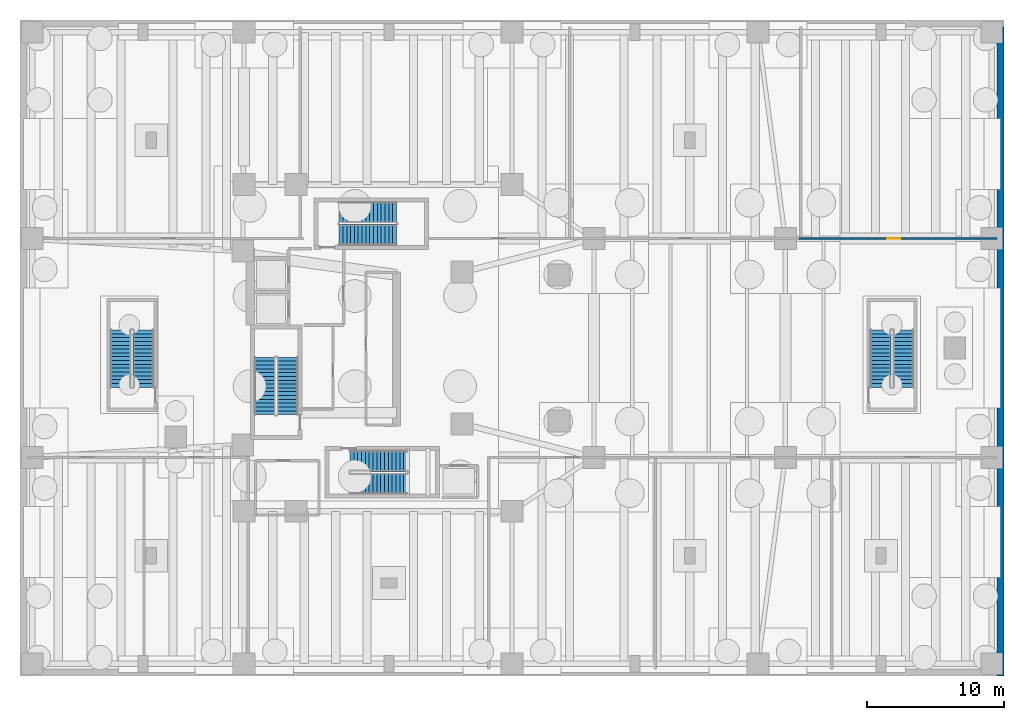
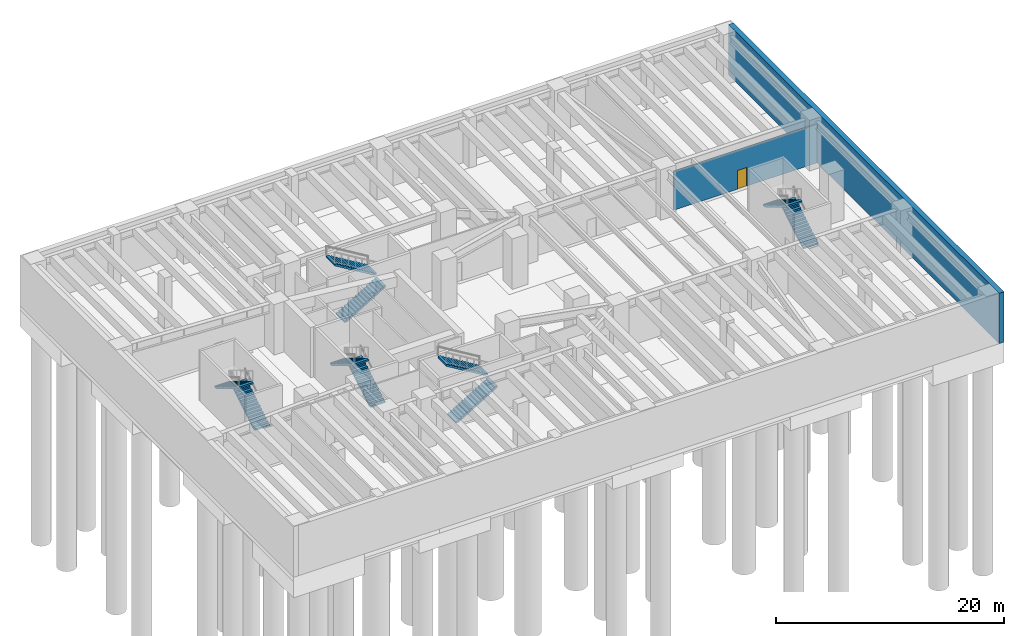
# One storey, part 7 of 10: 10 stair flights, 2 walls, 1 door, 1 opening, 5 elements without a shape of their own.
"""IFC4 building model written with IfcOpenShell, lengths in metres."""

from ifc_helpers import new_model, si_unit, direction, frame, frame_2d, origin, place, context, subcontext, project, spatial, polyline, rectangle, outline, extrude, material, layer, layer_set, type_object, element, fill, aggregate, save


model = new_model("IFC4")

# Units and contexts
model_context = context("Model", 3, precision=1e-05, world=origin(), true_north=direction((0.0, 1.0)))
body_context = subcontext(model_context, "Body", "Model", "MODEL_VIEW")
ifc_project = project(units=[si_unit("LENGTHUNIT", "METRE"), si_unit("AREAUNIT", "SQUARE_METRE"), si_unit("VOLUMEUNIT", "CUBIC_METRE"), si_unit("PLANEANGLEUNIT", "RADIAN"), si_unit("MASSUNIT", "GRAM", prefix="KILO"), si_unit("THERMODYNAMICTEMPERATUREUNIT", "KELVIN"), si_unit("POWERUNIT", "WATT")], contexts=[model_context])

# Site, building, storey
site_placement = place(None, origin())
site = spatial("IfcSite", under=ifc_project, at=site_placement, CompositionType="ELEMENT")
building_placement = place(site_placement, origin())
building = spatial("IfcBuilding", under=site, at=building_placement, Name="Skarre Station Tower", CompositionType="ELEMENT")
storey_placement = place(building_placement, frame((0.0, 0.0, -10.199951171875)))
storey = spatial("IfcBuildingStorey", under=building, at=storey_placement, Name="B02", CompositionType="ELEMENT", Elevation=-10.199951171875)

# Wall
ifc_material_1 = material(Name="Concrete C50/60", Category="concrete")
ifc_layer_1 = layer(ifc_material_1, 0.5, Name="Concrete C50/60")
ifc_layer_set_1 = layer_set([ifc_layer_1], Name="Concrete C50/60")
wall_type_1 = type_object("IfcWallType", Name="Basement Perimeter Retaining Wall 500", PredefinedType="USERDEFINED", material=ifc_layer_set_1)
wall_1_placement = place(storey_placement, frame((71.75, 47.5, 0.0), z_axis=(0.0, 0.0, 1.0), x_axis=(0.0, -1.0, 0.0)))
element("IfcWall", 1, at=wall_1_placement, inside=storey, type_object=wall_type_1, Name="B02 Perimeter Retaining Wall E", ObjectType="RETAININGWALL", PredefinedType="USERDEFINED", context=body_context, shape_type="SweptSolid", body=[
    extrude(rectangle(XDim=47.5, YDim=0.5, at=frame_2d((23.75, 0.0))), origin(), (0.0, 0.0, 1.0), 5.39990234375),
])

# Wall, opening, door
ifc_material_2 = material(Name="Acoustic Steel-Stud Gypsum Partition", Category="steel")
ifc_layer_2 = layer(ifc_material_2, 0.14990234375, Name="Acoustic Steel-Stud Gypsum Partition")
ifc_layer_set_2 = layer_set([ifc_layer_2], Name="Acoustic Steel-Stud Gypsum Partition")
wall_type_2 = type_object("IfcWallType", Name="Fire-Rated Corridor Acoustic Partition 150", PredefinedType="PARTITIONING", material=ifc_layer_set_2)
wall_2_placement = place(storey_placement, frame((71.5048828125, 32.02001953125, 0.0), z_axis=(0.0, 0.0, 1.0), x_axis=(-1.0, 0.0, 0.0)))
wall_2 = element("IfcWall", 2, at=wall_2_placement, inside=storey, type_object=wall_type_2, Name="B02 Interior Partition WL-PT-B02-PDN4-CW", PredefinedType="PARTITIONING", context=body_context, shape_type="SweptSolid", body=[
    extrude(rectangle(XDim=14.5048828125, YDim=0.14990234375, at=frame_2d((7.25244140625, 0.0))), origin(), (0.0, 0.0, 1.0), 4.141845703125),
])
opening_placement = place(wall_2_placement, frame((7.10205078125, 0.0, 0.0)))
opening = element("IfcOpeningElement", 3, at=opening_placement, cuts=wall_2, Name="Opening DR-FD60", PredefinedType="OPENING", context=body_context, shape_type="SweptSolid", body=[
    extrude(rectangle(XDim=0.9599609375, YDim=2.0, at=frame_2d((0.47998046875, 1.0))), frame((0.0, 0.0849609375, 0.0), z_axis=(0.0, -1.0, 0.0), x_axis=(1.0, 0.0, 0.0)), (0.0, 0.0, 1.0), 0.169921875),
])
ifc_material_3 = material(Name="Nordic White-Oak Veneer Solid-Core Fire Leaf", Category="wood")
door_type = type_object("IfcDoorType", Name="Corridor Suite Entry Fire Door FD60 960x2150", OperationType="SINGLE_SWING_LEFT", PredefinedType="DOOR", material=ifc_material_3)
door_placement = place(opening_placement, origin())
door = element("IfcDoor", 4, at=door_placement, inside=storey, type_object=door_type, Name="B02 PDN4 Entry Door", OperationType="SINGLE_SWING_LEFT", OverallHeight=2.0, OverallWidth=0.9599609375, PredefinedType="DOOR", context=body_context, shape_type="SweptSolid", body=[
    extrude(rectangle(XDim=0.9599609375, YDim=2.0, at=frame_2d((0.47998046875, 1.0))), frame((0.0, 0.02490234375, 0.0), z_axis=(0.0, -1.0, 0.0), x_axis=(1.0, 0.0, 0.0)), (0.0, 0.0, 1.0), 0.050048828125),
])
fill(opening, door)

# Stair, stair flights
ifc_material_4 = material(Name="Concrete C40/50", Category="concrete")
stair_type_1 = type_object("IfcStairType", Name="Reinforced Concrete Exit Stair ST-1", PredefinedType="HALF_TURN_STAIR", material=ifc_material_4)
stair_1_placement = place(storey_placement, origin())
stair_1 = element("IfcStair", 5, at=stair_1_placement, inside=storey, type_object=stair_type_1, Name="B02 Core Exit Stair ST-1", PredefinedType="HALF_TURN_STAIR")
stair_flight_type_1 = type_object("IfcStairFlightType", Name="Reinforced Concrete Stair Flight ST-1", PredefinedType="STRAIGHT", material=ifc_material_4)
stair_flight_1_placement = place(storey_placement, frame((19.590087890625, 19.1201171875, 0.0), z_axis=(0.0, 0.0, 1.0), x_axis=(0.0, 1.0, 0.0)))
stair_flight_1 = element("IfcStairFlight", 6, at=stair_flight_1_placement, type_object=stair_flight_type_1, Name="ST-1 flight 1", NumberOfRisers=16, NumberOfTreads=15, PredefinedType="STRAIGHT", RiserHeight=0.16875, TreadLength=0.28, context=body_context, shape_type="SweptSolid", body=[
    extrude(outline(polyline([(0.0, 0.0), (0.0, 0.168701171875), (0.280029296875, 0.168701171875), (0.280029296875, 0.33740234375), (0.56005859375, 0.33740234375), (0.56005859375, 0.50634765625), (0.840087890625, 0.50634765625), (0.840087890625, 0.675048828125), (1.1201171875, 0.675048828125), (1.1201171875, 0.84375), (1.39990234375, 0.84375), (1.39990234375, 1.012451171875), (1.679931640625, 1.012451171875), (1.679931640625, 1.18115234375), (1.9599609375, 1.18115234375), (1.9599609375, 1.35009765625), (2.239990234375, 1.35009765625), (2.239990234375, 1.518798828125), (2.52001953125, 1.518798828125), (2.52001953125, 1.6875), (2.800048828125, 1.6875), (2.800048828125, 1.856201171875), (3.080078125, 1.856201171875), (3.080078125, 2.02490234375), (3.360107421875, 2.02490234375), (3.360107421875, 2.19384765625), (3.639892578125, 2.19384765625), (3.639892578125, 2.362548828125), (3.919921875, 2.362548828125), (3.919921875, 2.53125), (4.199951171875, 2.53125), (4.199951171875, 2.699951171875), (4.199951171875, 2.356201171875), (0.29052734375, 0.0), (0.0, 0.0)])), frame((0.0, 0.760009765625, 0.0), z_axis=(0.0, -1.0, 0.0), x_axis=(1.0, 0.0, 0.0)), (0.0, 0.0, 1.0), 1.52001953125),
])
stair_flight_2_placement = place(storey_placement, frame((17.909912109375, 23.320068359375, 2.699951171875), z_axis=(0.0, 0.0, 1.0), x_axis=(0.0, -1.0, 0.0)))
stair_flight_2 = element("IfcStairFlight", 7, at=stair_flight_2_placement, type_object=stair_flight_type_1, Name="ST-1 flight 2", NumberOfRisers=16, NumberOfTreads=15, PredefinedType="STRAIGHT", RiserHeight=0.16875, TreadLength=0.28, context=body_context, shape_type="SweptSolid", body=[
    extrude(outline(polyline([(0.0, 0.0), (0.0, 0.168701171875), (0.280029296875, 0.168701171875), (0.280029296875, 0.33740234375), (0.56005859375, 0.33740234375), (0.56005859375, 0.50634765625), (0.840087890625, 0.50634765625), (0.840087890625, 0.675048828125), (1.1201171875, 0.675048828125), (1.1201171875, 0.84375), (1.39990234375, 0.84375), (1.39990234375, 1.012451171875), (1.679931640625, 1.012451171875), (1.679931640625, 1.18115234375), (1.9599609375, 1.18115234375), (1.9599609375, 1.35009765625), (2.239990234375, 1.35009765625), (2.239990234375, 1.518798828125), (2.52001953125, 1.518798828125), (2.52001953125, 1.6875), (2.800048828125, 1.6875), (2.800048828125, 1.856201171875), (3.080078125, 1.856201171875), (3.080078125, 2.02490234375), (3.360107421875, 2.02490234375), (3.360107421875, 2.19384765625), (3.639892578125, 2.19384765625), (3.639892578125, 2.362548828125), (3.919921875, 2.362548828125), (3.919921875, 2.53125), (4.199951171875, 2.53125), (4.199951171875, 2.699951171875), (4.199951171875, 2.356201171875), (0.29052734375, 0.0), (0.0, 0.0)])), frame((0.0, 0.760009765625, 0.0), z_axis=(0.0, -1.0, 0.0), x_axis=(1.0, 0.0, 0.0)), (0.0, 0.0, 1.0), 1.52001953125),
])
aggregate(stair_1, [stair_flight_1, stair_flight_2])

stair_type_2 = type_object("IfcStairType", Name="Reinforced Concrete Exit Stair ST-2", PredefinedType="HALF_TURN_STAIR", material=ifc_material_4)
stair_2_placement = place(storey_placement, origin())
stair_2 = element("IfcStair", 8, at=stair_2_placement, inside=storey, type_object=stair_type_2, Name="B02 Core Exit Stair ST-2", PredefinedType="HALF_TURN_STAIR")
stair_flight_type_2 = type_object("IfcStairFlightType", Name="Reinforced Concrete Stair Flight ST-2", PredefinedType="STRAIGHT", material=ifc_material_4)
stair_flight_3_placement = place(storey_placement, frame((24.14990234375, 14.06005859375, 0.0), z_axis=(0.0, 0.0, 1.0), x_axis=(1.0, 0.0, 0.0)))
stair_flight_3 = element("IfcStairFlight", 9, at=stair_flight_3_placement, type_object=stair_flight_type_2, Name="ST-2 flight 1", NumberOfRisers=16, NumberOfTreads=15, PredefinedType="STRAIGHT", RiserHeight=0.16875, TreadLength=0.28, context=body_context, shape_type="SweptSolid", body=[
    extrude(outline(polyline([(0.0, 0.0), (0.0, 0.168701171875), (0.280029296875, 0.168701171875), (0.280029296875, 0.33740234375), (0.56005859375, 0.33740234375), (0.56005859375, 0.50634765625), (0.840087890625, 0.50634765625), (0.840087890625, 0.675048828125), (1.1201171875, 0.675048828125), (1.1201171875, 0.84375), (1.39990234375, 0.84375), (1.39990234375, 1.012451171875), (1.679931640625, 1.012451171875), (1.679931640625, 1.18115234375), (1.9599609375, 1.18115234375), (1.9599609375, 1.35009765625), (2.239990234375, 1.35009765625), (2.239990234375, 1.518798828125), (2.52001953125, 1.518798828125), (2.52001953125, 1.6875), (2.800048828125, 1.6875), (2.800048828125, 1.856201171875), (3.080078125, 1.856201171875), (3.080078125, 2.02490234375), (3.360107421875, 2.02490234375), (3.360107421875, 2.19384765625), (3.639892578125, 2.19384765625), (3.639892578125, 2.362548828125), (3.919921875, 2.362548828125), (3.919921875, 2.53125), (4.199951171875, 2.53125), (4.199951171875, 2.699951171875), (4.199951171875, 2.356201171875), (0.29052734375, 0.0), (0.0, 0.0)])), frame((0.0, 0.760009765625, 0.0), z_axis=(0.0, -1.0, 0.0), x_axis=(1.0, 0.0, 0.0)), (0.0, 0.0, 1.0), 1.52001953125),
])
stair_flight_4_placement = place(storey_placement, frame((28.35009765625, 15.739990234375, 2.699951171875), z_axis=(0.0, 0.0, 1.0), x_axis=(-1.0, 0.0, 0.0)))
stair_flight_4 = element("IfcStairFlight", 10, at=stair_flight_4_placement, type_object=stair_flight_type_2, Name="ST-2 flight 2", NumberOfRisers=16, NumberOfTreads=15, PredefinedType="STRAIGHT", RiserHeight=0.16875, TreadLength=0.28, context=body_context, shape_type="SweptSolid", body=[
    extrude(outline(polyline([(0.0, 0.0), (0.0, 0.168701171875), (0.280029296875, 0.168701171875), (0.280029296875, 0.33740234375), (0.56005859375, 0.33740234375), (0.56005859375, 0.50634765625), (0.840087890625, 0.50634765625), (0.840087890625, 0.675048828125), (1.1201171875, 0.675048828125), (1.1201171875, 0.84375), (1.39990234375, 0.84375), (1.39990234375, 1.012451171875), (1.679931640625, 1.012451171875), (1.679931640625, 1.18115234375), (1.9599609375, 1.18115234375), (1.9599609375, 1.35009765625), (2.239990234375, 1.35009765625), (2.239990234375, 1.518798828125), (2.52001953125, 1.518798828125), (2.52001953125, 1.6875), (2.800048828125, 1.6875), (2.800048828125, 1.856201171875), (3.080078125, 1.856201171875), (3.080078125, 2.02490234375), (3.360107421875, 2.02490234375), (3.360107421875, 2.19384765625), (3.639892578125, 2.19384765625), (3.639892578125, 2.362548828125), (3.919921875, 2.362548828125), (3.919921875, 2.53125), (4.199951171875, 2.53125), (4.199951171875, 2.699951171875), (4.199951171875, 2.356201171875), (0.29052734375, 0.0), (0.0, 0.0)])), frame((0.0, 0.760009765625, 0.0), z_axis=(0.0, -1.0, 0.0), x_axis=(1.0, 0.0, 0.0)), (0.0, 0.0, 1.0), 1.52001953125),
])
aggregate(stair_2, [stair_flight_3, stair_flight_4])

stair_type_3 = type_object("IfcStairType", Name="Reinforced Concrete Exit Stair ST-3", PredefinedType="HALF_TURN_STAIR", material=ifc_material_4)
stair_3_placement = place(storey_placement, origin())
stair_3 = element("IfcStair", 11, at=stair_3_placement, inside=storey, type_object=stair_type_3, Name="B02 Core Exit Stair ST-3", PredefinedType="HALF_TURN_STAIR")
stair_flight_type_3 = type_object("IfcStairFlightType", Name="Reinforced Concrete Stair Flight ST-3", PredefinedType="STRAIGHT", material=ifc_material_4)
stair_flight_5_placement = place(storey_placement, frame((23.35009765625, 32.260009765625, 0.0), z_axis=(0.0, 0.0, 1.0), x_axis=(1.0, 0.0, 0.0)))
stair_flight_5 = element("IfcStairFlight", 12, at=stair_flight_5_placement, type_object=stair_flight_type_3, Name="ST-3 flight 1", NumberOfRisers=16, NumberOfTreads=15, PredefinedType="STRAIGHT", RiserHeight=0.16875, TreadLength=0.28, context=body_context, shape_type="SweptSolid", body=[
    extrude(outline(polyline([(0.0, 0.0), (0.0, 0.168701171875), (0.280029296875, 0.168701171875), (0.280029296875, 0.33740234375), (0.56005859375, 0.33740234375), (0.56005859375, 0.50634765625), (0.840087890625, 0.50634765625), (0.840087890625, 0.675048828125), (1.1201171875, 0.675048828125), (1.1201171875, 0.84375), (1.39990234375, 0.84375), (1.39990234375, 1.012451171875), (1.679931640625, 1.012451171875), (1.679931640625, 1.18115234375), (1.9599609375, 1.18115234375), (1.9599609375, 1.35009765625), (2.239990234375, 1.35009765625), (2.239990234375, 1.518798828125), (2.52001953125, 1.518798828125), (2.52001953125, 1.6875), (2.800048828125, 1.6875), (2.800048828125, 1.856201171875), (3.080078125, 1.856201171875), (3.080078125, 2.02490234375), (3.360107421875, 2.02490234375), (3.360107421875, 2.19384765625), (3.639892578125, 2.19384765625), (3.639892578125, 2.362548828125), (3.919921875, 2.362548828125), (3.919921875, 2.53125), (4.199951171875, 2.53125), (4.199951171875, 2.699951171875), (4.199951171875, 2.356201171875), (0.29052734375, 0.0), (0.0, 0.0)])), frame((0.0, 0.760009765625, 0.0), z_axis=(0.0, -1.0, 0.0), x_axis=(1.0, 0.0, 0.0)), (0.0, 0.0, 1.0), 1.52001953125),
])
stair_flight_6_placement = place(storey_placement, frame((27.550048828125, 33.93994140625, 2.699951171875), z_axis=(0.0, 0.0, 1.0), x_axis=(-1.0, 0.0, 0.0)))
stair_flight_6 = element("IfcStairFlight", 13, at=stair_flight_6_placement, type_object=stair_flight_type_3, Name="ST-3 flight 2", NumberOfRisers=16, NumberOfTreads=15, PredefinedType="STRAIGHT", RiserHeight=0.16875, TreadLength=0.28, context=body_context, shape_type="SweptSolid", body=[
    extrude(outline(polyline([(0.0, 0.0), (0.0, 0.168701171875), (0.280029296875, 0.168701171875), (0.280029296875, 0.33740234375), (0.56005859375, 0.33740234375), (0.56005859375, 0.50634765625), (0.840087890625, 0.50634765625), (0.840087890625, 0.675048828125), (1.1201171875, 0.675048828125), (1.1201171875, 0.84375), (1.39990234375, 0.84375), (1.39990234375, 1.012451171875), (1.679931640625, 1.012451171875), (1.679931640625, 1.18115234375), (1.9599609375, 1.18115234375), (1.9599609375, 1.35009765625), (2.239990234375, 1.35009765625), (2.239990234375, 1.518798828125), (2.52001953125, 1.518798828125), (2.52001953125, 1.6875), (2.800048828125, 1.6875), (2.800048828125, 1.856201171875), (3.080078125, 1.856201171875), (3.080078125, 2.02490234375), (3.360107421875, 2.02490234375), (3.360107421875, 2.19384765625), (3.639892578125, 2.19384765625), (3.639892578125, 2.362548828125), (3.919921875, 2.362548828125), (3.919921875, 2.53125), (4.199951171875, 2.53125), (4.199951171875, 2.699951171875), (4.199951171875, 2.356201171875), (0.29052734375, 0.0), (0.0, 0.0)])), frame((0.0, 0.760009765625, 0.0), z_axis=(0.0, -1.0, 0.0), x_axis=(1.0, 0.0, 0.0)), (0.0, 0.0, 1.0), 1.52001953125),
])
aggregate(stair_3, [stair_flight_5, stair_flight_6])

stair_type_4 = type_object("IfcStairType", Name="Reinforced Concrete Exit Stair ST-4", PredefinedType="HALF_TURN_STAIR", material=ifc_material_4)
stair_4_placement = place(storey_placement, origin())
stair_4 = element("IfcStair", 14, at=stair_4_placement, inside=storey, type_object=stair_type_4, Name="B02 Podium Concourse Exit Stair ST-4", PredefinedType="HALF_TURN_STAIR")
stair_flight_type_4 = type_object("IfcStairFlightType", Name="Reinforced Concrete Stair Flight ST-4", PredefinedType="STRAIGHT", material=ifc_material_4)
stair_flight_7_placement = place(storey_placement, frame((9.0400390625, 21.1201171875, 0.0), z_axis=(0.0, 0.0, 1.0), x_axis=(0.0, 1.0, 0.0)))
stair_flight_7 = element("IfcStairFlight", 15, at=stair_flight_7_placement, type_object=stair_flight_type_4, Name="ST-4 flight 1", NumberOfRisers=16, NumberOfTreads=15, PredefinedType="STRAIGHT", RiserHeight=0.16875, TreadLength=0.28, context=body_context, shape_type="SweptSolid", body=[
    extrude(outline(polyline([(0.0, 0.0), (0.0, 0.168701171875), (0.280029296875, 0.168701171875), (0.280029296875, 0.33740234375), (0.56005859375, 0.33740234375), (0.56005859375, 0.50634765625), (0.840087890625, 0.50634765625), (0.840087890625, 0.675048828125), (1.1201171875, 0.675048828125), (1.1201171875, 0.84375), (1.39990234375, 0.84375), (1.39990234375, 1.012451171875), (1.679931640625, 1.012451171875), (1.679931640625, 1.18115234375), (1.9599609375, 1.18115234375), (1.9599609375, 1.35009765625), (2.239990234375, 1.35009765625), (2.239990234375, 1.518798828125), (2.52001953125, 1.518798828125), (2.52001953125, 1.6875), (2.800048828125, 1.6875), (2.800048828125, 1.856201171875), (3.080078125, 1.856201171875), (3.080078125, 2.02490234375), (3.360107421875, 2.02490234375), (3.360107421875, 2.19384765625), (3.639892578125, 2.19384765625), (3.639892578125, 2.362548828125), (3.919921875, 2.362548828125), (3.919921875, 2.53125), (4.199951171875, 2.53125), (4.199951171875, 2.699951171875), (4.199951171875, 2.356201171875), (0.29052734375, 0.0), (0.0, 0.0)])), frame((0.0, 0.760009765625, 0.0), z_axis=(0.0, -1.0, 0.0), x_axis=(1.0, 0.0, 0.0)), (0.0, 0.0, 1.0), 1.52001953125),
])
stair_flight_8_placement = place(storey_placement, frame((7.360107421875, 25.320068359375, 2.699951171875), z_axis=(0.0, 0.0, 1.0), x_axis=(0.0, -1.0, 0.0)))
stair_flight_8 = element("IfcStairFlight", 16, at=stair_flight_8_placement, type_object=stair_flight_type_4, Name="ST-4 flight 2", NumberOfRisers=16, NumberOfTreads=15, PredefinedType="STRAIGHT", RiserHeight=0.16875, TreadLength=0.28, context=body_context, shape_type="SweptSolid", body=[
    extrude(outline(polyline([(0.0, 0.0), (0.0, 0.168701171875), (0.280029296875, 0.168701171875), (0.280029296875, 0.33740234375), (0.56005859375, 0.33740234375), (0.56005859375, 0.50634765625), (0.840087890625, 0.50634765625), (0.840087890625, 0.675048828125), (1.1201171875, 0.675048828125), (1.1201171875, 0.84375), (1.39990234375, 0.84375), (1.39990234375, 1.012451171875), (1.679931640625, 1.012451171875), (1.679931640625, 1.18115234375), (1.9599609375, 1.18115234375), (1.9599609375, 1.35009765625), (2.239990234375, 1.35009765625), (2.239990234375, 1.518798828125), (2.52001953125, 1.518798828125), (2.52001953125, 1.6875), (2.800048828125, 1.6875), (2.800048828125, 1.856201171875), (3.080078125, 1.856201171875), (3.080078125, 2.02490234375), (3.360107421875, 2.02490234375), (3.360107421875, 2.19384765625), (3.639892578125, 2.19384765625), (3.639892578125, 2.362548828125), (3.919921875, 2.362548828125), (3.919921875, 2.53125), (4.199951171875, 2.53125), (4.199951171875, 2.699951171875), (4.199951171875, 2.356201171875), (0.29052734375, 0.0), (0.0, 0.0)])), frame((0.0, 0.760009765625, 0.0), z_axis=(0.0, -1.0, 0.0), x_axis=(1.0, 0.0, 0.0)), (0.0, 0.0, 1.0), 1.52001953125),
])
aggregate(stair_4, [stair_flight_7, stair_flight_8])

stair_type_5 = type_object("IfcStairType", Name="Reinforced Concrete Exit Stair ST-5", PredefinedType="HALF_TURN_STAIR", material=ifc_material_4)
stair_5_placement = place(storey_placement, origin())
stair_5 = element("IfcStair", 17, at=stair_5_placement, inside=storey, type_object=stair_type_5, Name="B02 Podium Concourse Exit Stair ST-5", PredefinedType="HALF_TURN_STAIR")
stair_flight_type_5 = type_object("IfcStairFlightType", Name="Reinforced Concrete Stair Flight ST-5", PredefinedType="STRAIGHT", material=ifc_material_4)
stair_flight_9_placement = place(storey_placement, frame((64.639892578125, 21.1201171875, 0.0), z_axis=(0.0, 0.0, 1.0), x_axis=(0.0, 1.0, 0.0)))
stair_flight_9 = element("IfcStairFlight", 18, at=stair_flight_9_placement, type_object=stair_flight_type_5, Name="ST-5 flight 1", NumberOfRisers=16, NumberOfTreads=15, PredefinedType="STRAIGHT", RiserHeight=0.16875, TreadLength=0.28, context=body_context, shape_type="SweptSolid", body=[
    extrude(outline(polyline([(0.0, 0.0), (0.0, 0.168701171875), (0.280029296875, 0.168701171875), (0.280029296875, 0.33740234375), (0.56005859375, 0.33740234375), (0.56005859375, 0.50634765625), (0.840087890625, 0.50634765625), (0.840087890625, 0.675048828125), (1.1201171875, 0.675048828125), (1.1201171875, 0.84375), (1.39990234375, 0.84375), (1.39990234375, 1.012451171875), (1.679931640625, 1.012451171875), (1.679931640625, 1.18115234375), (1.9599609375, 1.18115234375), (1.9599609375, 1.35009765625), (2.239990234375, 1.35009765625), (2.239990234375, 1.518798828125), (2.52001953125, 1.518798828125), (2.52001953125, 1.6875), (2.800048828125, 1.6875), (2.800048828125, 1.856201171875), (3.080078125, 1.856201171875), (3.080078125, 2.02490234375), (3.360107421875, 2.02490234375), (3.360107421875, 2.19384765625), (3.639892578125, 2.19384765625), (3.639892578125, 2.362548828125), (3.919921875, 2.362548828125), (3.919921875, 2.53125), (4.199951171875, 2.53125), (4.199951171875, 2.699951171875), (4.199951171875, 2.356201171875), (0.29052734375, 0.0), (0.0, 0.0)])), frame((0.0, 0.760009765625, 0.0), z_axis=(0.0, -1.0, 0.0), x_axis=(1.0, 0.0, 0.0)), (0.0, 0.0, 1.0), 1.52001953125),
])
stair_flight_10_placement = place(storey_placement, frame((62.9599609375, 25.320068359375, 2.699951171875), z_axis=(0.0, 0.0, 1.0), x_axis=(0.0, -1.0, 0.0)))
stair_flight_10 = element("IfcStairFlight", 19, at=stair_flight_10_placement, type_object=stair_flight_type_5, Name="ST-5 flight 2", NumberOfRisers=16, NumberOfTreads=15, PredefinedType="STRAIGHT", RiserHeight=0.16875, TreadLength=0.28, context=body_context, shape_type="SweptSolid", body=[
    extrude(outline(polyline([(0.0, 0.0), (0.0, 0.168701171875), (0.280029296875, 0.168701171875), (0.280029296875, 0.33740234375), (0.56005859375, 0.33740234375), (0.56005859375, 0.50634765625), (0.840087890625, 0.50634765625), (0.840087890625, 0.675048828125), (1.1201171875, 0.675048828125), (1.1201171875, 0.84375), (1.39990234375, 0.84375), (1.39990234375, 1.012451171875), (1.679931640625, 1.012451171875), (1.679931640625, 1.18115234375), (1.9599609375, 1.18115234375), (1.9599609375, 1.35009765625), (2.239990234375, 1.35009765625), (2.239990234375, 1.518798828125), (2.52001953125, 1.518798828125), (2.52001953125, 1.6875), (2.800048828125, 1.6875), (2.800048828125, 1.856201171875), (3.080078125, 1.856201171875), (3.080078125, 2.02490234375), (3.360107421875, 2.02490234375), (3.360107421875, 2.19384765625), (3.639892578125, 2.19384765625), (3.639892578125, 2.362548828125), (3.919921875, 2.362548828125), (3.919921875, 2.53125), (4.199951171875, 2.53125), (4.199951171875, 2.699951171875), (4.199951171875, 2.356201171875), (0.29052734375, 0.0), (0.0, 0.0)])), frame((0.0, 0.760009765625, 0.0), z_axis=(0.0, -1.0, 0.0), x_axis=(1.0, 0.0, 0.0)), (0.0, 0.0, 1.0), 1.52001953125),
])
aggregate(stair_5, [stair_flight_9, stair_flight_10])

save(model, "model.ifc")
